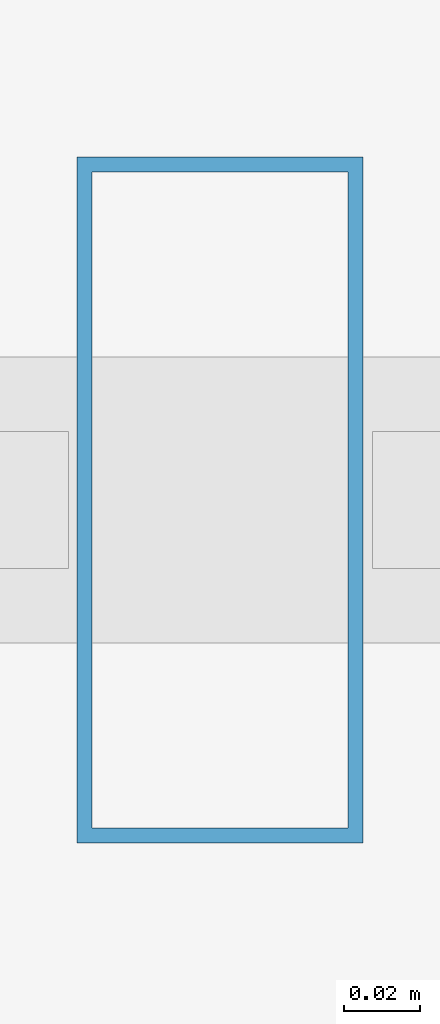
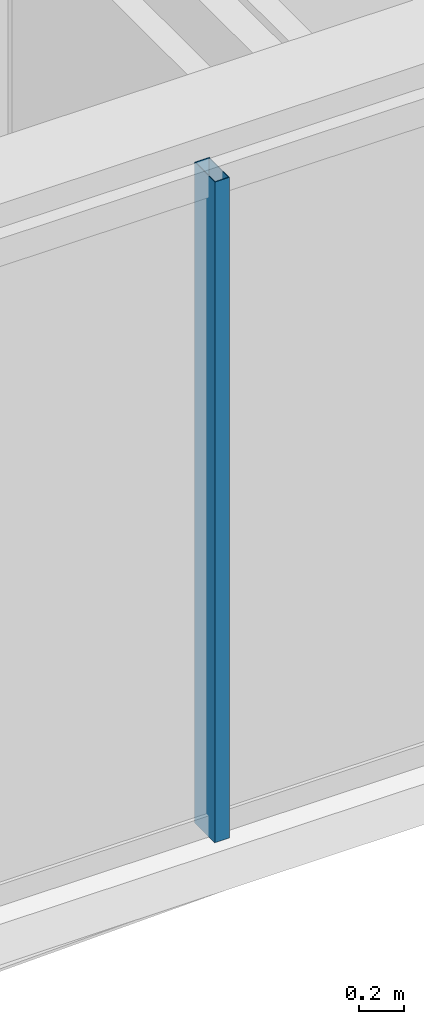
# One storey, part 9 of 32: 1 member, 1 element without a shape of its own.
"""IFC4 building model written with IfcOpenShell, lengths in metres."""

from ifc_helpers import new_model, si_unit, direction, frame, origin, origin_2d, place, context, subcontext, project, spatial, hollow_rectangle, extrude, material, layer, layer_set, material_profile, profile_set, type_object, element, aggregate, save


model = new_model("IFC4")

# Units and contexts
model_context = context("Model", 3, precision=1e-05, world=origin(), true_north=direction((0.0, 1.0)))
body_context = subcontext(model_context, "Body", "Model", "MODEL_VIEW")
ifc_project = project(units=[si_unit("LENGTHUNIT", "METRE"), si_unit("AREAUNIT", "SQUARE_METRE"), si_unit("VOLUMEUNIT", "CUBIC_METRE"), si_unit("PLANEANGLEUNIT", "RADIAN"), si_unit("MASSUNIT", "GRAM", prefix="KILO")], contexts=[model_context])

# Site, building, storey
site_placement = place(None, origin())
site = spatial("IfcSite", under=ifc_project, at=site_placement, CompositionType="ELEMENT")
building_placement = place(site_placement, origin())
building = spatial("IfcBuilding", under=site, at=building_placement, Name="Ndaravel Arena Tower", CompositionType="ELEMENT")
storey_placement = place(building_placement, frame((0.0, 0.0, 130.800048828125)))
storey = spatial("IfcBuildingStorey", under=building, at=storey_placement, Name="L30", CompositionType="ELEMENT", Elevation=130.800048828125)

# Curtain wall, member
ifc_material_1 = material(Name="Aluminium", Category="aluminium")
ifc_layer = layer(ifc_material_1, 0.179931640625)
ifc_layer_set = layer_set([ifc_layer], Name="Aluminium")
curtain_wall_type = type_object("IfcCurtainWallType", Name="CW-SYS-03", PredefinedType="NOTDEFINED", material=ifc_layer_set)
curtain_wall_placement = place(storey_placement, origin())
curtain_wall = element("IfcCurtainWall", 1, at=curtain_wall_placement, inside=storey, type_object=curtain_wall_type, Name="L30 Faceted Crystal Curtain Wall CW-L30-E01", PredefinedType="NOTDEFINED")
ifc_material_2 = material(Name="Aluminium", Category="aluminium")
ifc_material_profile = material_profile(ifc_material_2, hollow_rectangle(XDim=0.074951171875, YDim=0.179931640625, WallThickness=0.00390625, at=origin_2d()), Name="CW MULLION 75x180x4")
ifc_profile_set = profile_set([ifc_material_profile], Name="Aluminium")
member_type = type_object("IfcMemberType", Name="MEM-CW-MUL180", PredefinedType="MULLION", material=ifc_profile_set)
member_placement = place(storey_placement, frame((46.361083984375, 5.159912109375, 0.0), z_axis=(0.0, 0.0, 1.0), x_axis=(1.0, 0.0, 0.0)))
member = element("IfcMember", 2, at=member_placement, type_object=member_type, Name="CW-L30-E01 Mullion 05", PredefinedType="MULLION", context=body_context, shape_type="SweptSolid", body=[
    extrude(hollow_rectangle(XDim=0.074951171875, YDim=0.179931640625, WallThickness=0.00390625, at=origin_2d()), origin(), (0.0, 0.0, 1.0), 3.579833984375),
])
aggregate(curtain_wall, [member])

save(model, "model.ifc")
